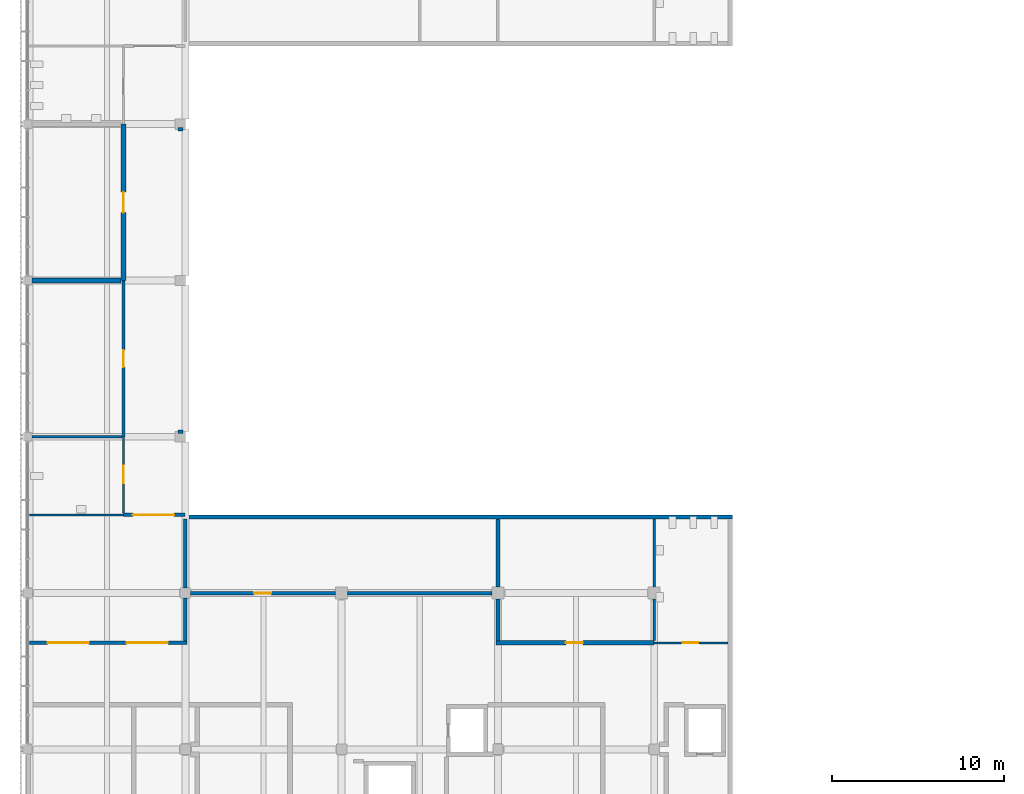
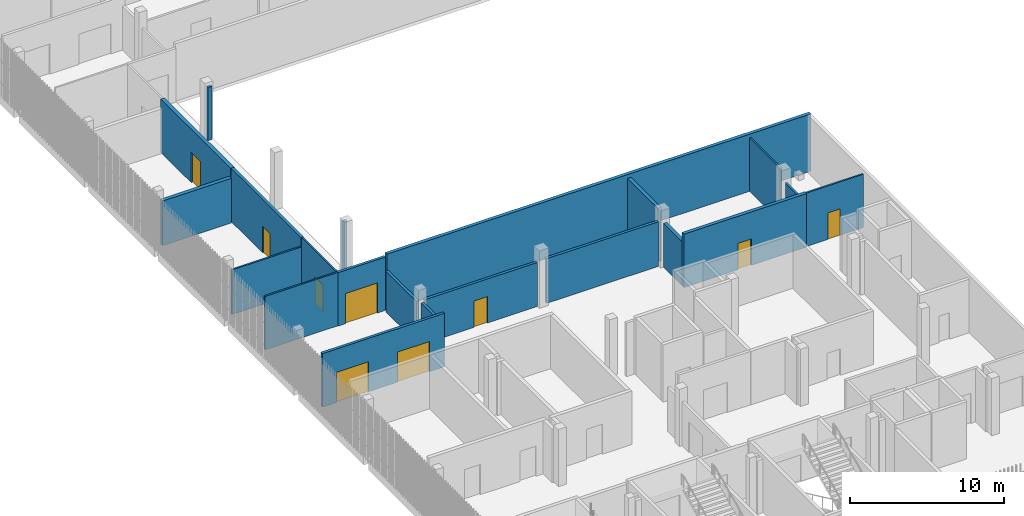
# One storey, part 69 of 124: 21 walls, 9 doors, 9 openings.
"""IFC4 building model written with IfcOpenShell, lengths in metres."""

from ifc_helpers import new_model, si_unit, direction, frame, frame_2d, origin, place, context, subcontext, project, spatial, rectangle, extrude, material, layer, layer_set, type_object, element, fill, save


model = new_model("IFC4")

# Units and contexts
model_context = context("Model", 3, precision=1e-05, world=origin(), true_north=direction((0.0, 1.0)))
body_context = subcontext(model_context, "Body", "Model", "MODEL_VIEW")
ifc_project = project(units=[si_unit("LENGTHUNIT", "METRE"), si_unit("AREAUNIT", "SQUARE_METRE"), si_unit("VOLUMEUNIT", "CUBIC_METRE"), si_unit("PLANEANGLEUNIT", "RADIAN"), si_unit("MASSUNIT", "GRAM", prefix="KILO")], contexts=[model_context])

# Site, building, storey
site_placement = place(None, origin())
site = spatial("IfcSite", under=ifc_project, at=site_placement, CompositionType="ELEMENT")
building_placement = place(site_placement, origin())
building = spatial("IfcBuilding", under=site, at=building_placement, Name="Shirokan Park Arena", CompositionType="ELEMENT")
storey_placement = place(building_placement, frame((0.0, 0.0, 20.02001953125)))
storey = spatial("IfcBuildingStorey", under=building, at=storey_placement, Name="L04", CompositionType="ELEMENT", Elevation=20.02001953125)

# Walls
ifc_material_1 = material(Name="Plaster")
ifc_layer_1 = layer(ifc_material_1, 0.014892578125, Name="Plaster")
ifc_material_2 = material(Name="Concrete blockwork", Category="masonry")
ifc_layer_2 = layer(ifc_material_2, 0.219970703125, Name="Concrete blockwork 220")
ifc_layer_3 = layer(ifc_material_1, 0.014892578125, Name="Plaster")
ifc_layer_set_1 = layer_set([ifc_layer_1, ifc_layer_2, ifc_layer_3], Name="Plaster + Concrete blockwork 220")
wall_type_1 = type_object("IfcWallType", Name="Compartment wall 250", PredefinedType="SOLIDWALL", material=ifc_layer_set_1)
wall_1_placement = place(storey_placement, frame((27.300048828125, 33.625, 0.0), z_axis=(0.0, 0.0, 1.0), x_axis=(0.0, 1.0, 0.0)))
element("IfcWall", 1, at=wall_1_placement, inside=storey, type_object=wall_type_1, Name="Compartment wall 250 L04", PredefinedType="SOLIDWALL", context=body_context, shape_type="SweptSolid", body=[
    extrude(rectangle(XDim=2.425048828125, YDim=0.25, at=frame_2d((1.21240234375, 0.0))), origin(), (0.0, 0.0, 1.0), 3.5),
])
wall_2_placement = place(storey_placement, frame((27.300048828125, 40.699951171875, 0.0), z_axis=(0.0, 0.0, 1.0), x_axis=(0.0, -1.0, 0.0)))
element("IfcWall", 2, at=wall_2_placement, inside=storey, type_object=wall_type_1, Name="Compartment wall 250 L04", PredefinedType="SOLIDWALL", context=body_context, shape_type="SweptSolid", body=[
    extrude(rectangle(XDim=3.949951171875, YDim=0.25, at=frame_2d((1.97509765625, 0.0))), origin(), (0.0, 0.0, 1.0), 4.25),
])

# Wall, opening, door
wall_3_placement = place(storey_placement, frame((36.39990234375, 33.5, 0.0), z_axis=(0.0, 0.0, 1.0), x_axis=(-1.0, 0.0, 0.0)))
wall_3 = element("IfcWall", 3, at=wall_3_placement, inside=storey, type_object=wall_type_1, Name="Compartment wall 250 L04", PredefinedType="SOLIDWALL", context=body_context, shape_type="SweptSolid", body=[
    extrude(rectangle(XDim=9.224853515625, YDim=0.25, at=frame_2d((4.6123046875, 0.0))), origin(), (0.0, 0.0, 1.0), 4.25),
])
opening_1_placement = place(wall_3_placement, frame((4.14990234375, 0.0, 0.0)))
opening_1 = element("IfcOpeningElement", 4, at=opening_1_placement, cuts=wall_3, Name="Opening D-4010", PredefinedType="OPENING", context=body_context, shape_type="SweptSolid", body=[
    extrude(rectangle(XDim=1.0, YDim=2.10009765625, at=frame_2d((0.5, 1.050048828125))), frame((0.0, 0.135009765625, 0.0), z_axis=(0.0, -1.0, 0.0), x_axis=(1.0, 0.0, 0.0)), (0.0, 0.0, 1.0), 0.27001953125),
])
ifc_material_3 = material(Name="Timber door set, fire resisting", Category="wood")
door_type_1 = type_object("IfcDoorType", Name="Door 1000 x 2100", OperationType="SINGLE_SWING_LEFT", PredefinedType="DOOR", material=ifc_material_3)
door_1_placement = place(opening_1_placement, origin())
door_1 = element("IfcDoor", 5, at=door_1_placement, inside=storey, type_object=door_type_1, Name="Door to Security Control Room 4.12 D-4010", OperationType="SINGLE_SWING_RIGHT", OverallHeight=2.10009765625, OverallWidth=1.0, PredefinedType="DOOR", context=body_context, shape_type="SweptSolid", body=[
    extrude(rectangle(XDim=1.0, YDim=2.10009765625, at=frame_2d((0.5, 1.050048828125))), frame((0.0, 0.02490234375, 0.0), z_axis=(0.0, -1.0, 0.0), x_axis=(1.0, 0.0, 0.0)), (0.0, 0.0, 1.0), 0.050048828125),
])
fill(opening_1, door_1)

# Wall, openings, doors
ifc_material_4 = material(Name="Gypsum board")
ifc_layer_4 = layer(ifc_material_4, 0.02490234375, Name="Gypsum board, two layers")
ifc_material_5 = material(Name="Mineral wool insulation")
ifc_layer_5 = layer(ifc_material_5, 0.14990234375, Name="Mineral wool insulation")
ifc_layer_6 = layer(ifc_material_4, 0.02490234375, Name="Gypsum board, two layers")
ifc_layer_set_2 = layer_set([ifc_layer_4, ifc_layer_5, ifc_layer_6], Name="Gypsum board, two layers + Mineral wool insulation")
wall_type_2 = type_object("IfcWallType", Name="Corridor wall 200", PredefinedType="PARTITIONING", material=ifc_layer_set_2)
wall_4_placement = place(storey_placement, frame((0.030029296875, 33.5, 0.0), z_axis=(0.0, 0.0, 1.0), x_axis=(1.0, 0.0, 0.0)))
wall_4 = element("IfcWall", 6, at=wall_4_placement, inside=storey, type_object=wall_type_2, Name="Corridor wall 200 L04", PredefinedType="PARTITIONING", context=body_context, shape_type="SweptSolid", body=[
    extrude(rectangle(XDim=9.169921875, YDim=0.199951171875, at=frame_2d((4.5849609375, 0.0))), origin(), (0.0, 0.0, 1.0), 4.25),
])
opening_2_placement = place(wall_4_placement, frame((1.050048828125, 0.0, 0.0)))
opening_2 = element("IfcOpeningElement", 7, at=opening_2_placement, cuts=wall_4, Name="Opening D-4071", PredefinedType="OPENING", context=body_context, shape_type="SweptSolid", body=[
    extrude(rectangle(XDim=2.39990234375, YDim=2.39990234375, at=frame_2d((1.199951171875, 1.199951171875))), frame((0.0, 0.10986328125, 0.0), z_axis=(0.0, -1.0, 0.0), x_axis=(1.0, 0.0, 0.0)), (0.0, 0.0, 1.0), 0.219970703125),
])
opening_3_placement = place(wall_4_placement, frame((5.64990234375, 0.0, 0.0)))
opening_3 = element("IfcOpeningElement", 8, at=opening_3_placement, cuts=wall_4, Name="Opening D-4072", PredefinedType="OPENING", context=body_context, shape_type="SweptSolid", body=[
    extrude(rectangle(XDim=2.39990234375, YDim=2.39990234375, at=frame_2d((1.199951171875, 1.199951171875))), frame((0.0, 0.10986328125, 0.0), z_axis=(0.0, -1.0, 0.0), x_axis=(1.0, 0.0, 0.0)), (0.0, 0.0, 1.0), 0.219970703125),
])
ifc_material_6 = material(Name="Steel door set, fire resisting", Category="steel")
door_type_2 = type_object("IfcDoorType", Name="Double door 2400 x 2400", OperationType="DOUBLE_DOOR_SINGLE_SWING", PredefinedType="DOOR", material=ifc_material_6)
door_2_placement = place(opening_2_placement, origin())
door_2 = element("IfcDoor", 9, at=door_2_placement, inside=storey, type_object=door_type_2, Name="Door between Service Corridor 1.4 and Concourse Link 1.4 D-4071", OperationType="DOUBLE_DOOR_SINGLE_SWING", OverallHeight=2.39990234375, OverallWidth=2.39990234375, PredefinedType="DOOR", context=body_context, shape_type="SweptSolid", body=[
    extrude(rectangle(XDim=2.39990234375, YDim=2.39990234375, at=frame_2d((1.199951171875, 1.199951171875))), frame((0.0, 0.02490234375, 0.0), z_axis=(0.0, -1.0, 0.0), x_axis=(1.0, 0.0, 0.0)), (0.0, 0.0, 1.0), 0.050048828125),
])
fill(opening_2, door_2)
door_3_placement = place(opening_3_placement, origin())
door_3 = element("IfcDoor", 10, at=door_3_placement, inside=storey, type_object=door_type_2, Name="Door between Service Corridor 1.4 and Concourse Link 1.4 D-4072", OperationType="DOUBLE_DOOR_SINGLE_SWING", OverallHeight=2.39990234375, OverallWidth=2.39990234375, PredefinedType="DOOR", context=body_context, shape_type="SweptSolid", body=[
    extrude(rectangle(XDim=2.39990234375, YDim=2.39990234375, at=frame_2d((1.199951171875, 1.199951171875))), frame((0.0, 0.02490234375, 0.0), z_axis=(0.0, -1.0, 0.0), x_axis=(1.0, 0.0, 0.0)), (0.0, 0.0, 1.0), 0.050048828125),
])
fill(opening_3, door_3)

# Wall, opening, door
wall_5_placement = place(storey_placement, frame((5.5, 40.949951171875, 0.0), z_axis=(0.0, 0.0, 1.0), x_axis=(1.0, 0.0, 0.0)))
wall_5 = element("IfcWall", 11, at=wall_5_placement, inside=storey, type_object=wall_type_2, Name="Corridor wall 200 L04", PredefinedType="PARTITIONING", context=body_context, shape_type="SweptSolid", body=[
    extrude(rectangle(XDim=3.570068359375, YDim=0.199951171875, at=frame_2d((1.78515625, 0.0))), origin(), (0.0, 0.0, 1.0), 4.25),
])
opening_4_placement = place(wall_5_placement, frame((0.550048828125, 0.0, 0.0)))
opening_4 = element("IfcOpeningElement", 12, at=opening_4_placement, cuts=wall_5, Name="Opening D-4081", PredefinedType="OPENING", context=body_context, shape_type="SweptSolid", body=[
    extrude(rectangle(XDim=2.39990234375, YDim=2.39990234375, at=frame_2d((1.199951171875, 1.199951171875))), frame((0.0, 0.10986328125, 0.0), z_axis=(0.0, -1.0, 0.0), x_axis=(1.0, 0.0, 0.0)), (0.0, 0.0, 1.0), 0.219970703125),
])
door_4_placement = place(opening_4_placement, origin())
door_4 = element("IfcDoor", 13, at=door_4_placement, inside=storey, type_object=door_type_2, Name="Door between Concourse Link 1.4 and Operations Corridor 4.04 D-4081", OperationType="DOUBLE_DOOR_SINGLE_SWING", OverallHeight=2.39990234375, OverallWidth=2.39990234375, PredefinedType="DOOR", context=body_context, shape_type="SweptSolid", body=[
    extrude(rectangle(XDim=2.39990234375, YDim=2.39990234375, at=frame_2d((1.199951171875, 1.199951171875))), frame((0.0, 0.02490234375, 0.0), z_axis=(0.0, -1.0, 0.0), x_axis=(1.0, 0.0, 0.0)), (0.0, 0.0, 1.0), 0.050048828125),
])
fill(opening_4, door_4)

wall_6_placement = place(storey_placement, frame((5.5, 45.5, 0.0), z_axis=(0.0, 0.0, 1.0), x_axis=(0.0, 1.0, 0.0)))
wall_6 = element("IfcWall", 14, at=wall_6_placement, inside=storey, type_object=wall_type_2, Name="Corridor wall 200 L04", PredefinedType="PARTITIONING", context=body_context, shape_type="SweptSolid", body=[
    extrude(rectangle(XDim=9.10009765625, YDim=0.199951171875, at=frame_2d((4.550048828125, 0.0))), origin(), (0.0, 0.0, 1.0), 4.25),
])
opening_5_placement = place(wall_6_placement, frame((4.050048828125, 0.0, 0.0)))
opening_5 = element("IfcOpeningElement", 15, at=opening_5_placement, cuts=wall_6, Name="Opening D-4068", PredefinedType="OPENING", context=body_context, shape_type="SweptSolid", body=[
    extrude(rectangle(XDim=1.0, YDim=2.10009765625, at=frame_2d((0.5, 1.050048828125))), frame((0.0, 0.10986328125, 0.0), z_axis=(0.0, -1.0, 0.0), x_axis=(1.0, 0.0, 0.0)), (0.0, 0.0, 1.0), 0.219970703125),
])
door_5_placement = place(opening_5_placement, origin())
door_5 = element("IfcDoor", 16, at=door_5_placement, inside=storey, type_object=door_type_1, Name="Door to Referee Review Room 4.42 D-4068", OperationType="SINGLE_SWING_RIGHT", OverallHeight=2.10009765625, OverallWidth=1.0, PredefinedType="DOOR", context=body_context, shape_type="SweptSolid", body=[
    extrude(rectangle(XDim=1.0, YDim=2.10009765625, at=frame_2d((0.5, 1.050048828125))), frame((0.0, 0.02490234375, 0.0), z_axis=(0.0, -1.0, 0.0), x_axis=(1.0, 0.0, 0.0)), (0.0, 0.0, 1.0), 0.050048828125),
])
fill(opening_5, door_5)

# Walls
for number, where, z_axis, x_axis, name in (
    (17, (8.675048828125, 63.39990234375, 0.0), (0.0, 0.0, 1.0), (1.0, 0.0, 0.0), "Corridor wall 200 L04"),
    (18, (8.97509765625, 45.800048828125, 0.0), (0.0, 0.0, 1.0), (-1.0, 0.0, 0.0), "Corridor wall 200 L04"),
):
    element("IfcWall", number, at=place(storey_placement, frame(where, z_axis=z_axis, x_axis=x_axis)), inside=storey, type_object=wall_type_2, Name=name, PredefinedType="PARTITIONING", context=body_context, shape_type="SweptSolid", body=[
        extrude(rectangle(XDim=0.300048828125, YDim=0.199951171875, at=frame_2d((0.14990234375, 0.0))), origin(), (0.0, 0.0, 1.0), 4.25),
    ])
wall_7_placement = place(storey_placement, frame((9.10009765625, 33.60009765625, 0.0), z_axis=(0.0, 0.0, 1.0), x_axis=(0.0, 1.0, 0.0)))
element("IfcWall", 19, at=wall_7_placement, inside=storey, type_object=wall_type_2, Name="Corridor wall 200 L04", PredefinedType="PARTITIONING", context=body_context, shape_type="SweptSolid", body=[
    extrude(rectangle(XDim=2.5, YDim=0.199951171875, at=frame_2d((1.25, 0.0))), origin(), (0.0, 0.0, 1.0), 3.5),
])
wall_8_placement = place(storey_placement, frame((9.10009765625, 36.699951171875, 0.0), z_axis=(0.0, 0.0, 1.0), x_axis=(0.0, 1.0, 0.0)))
element("IfcWall", 20, at=wall_8_placement, inside=storey, type_object=wall_type_2, Name="Corridor wall 200 L04", PredefinedType="PARTITIONING", context=body_context, shape_type="SweptSolid", body=[
    extrude(rectangle(XDim=4.0, YDim=0.199951171875, at=frame_2d((2.0, 0.0))), origin(), (0.0, 0.0, 1.0), 3.25),
])

# Wall, opening, door
wall_9_placement = place(storey_placement, frame((17.85009765625, 36.39990234375, 0.0), z_axis=(0.0, 0.0, 1.0), x_axis=(-1.0, 0.0, 0.0)))
wall_9 = element("IfcWall", 21, at=wall_9_placement, inside=storey, type_object=wall_type_2, Name="Corridor wall 200 L04", PredefinedType="PARTITIONING", context=body_context, shape_type="SweptSolid", body=[
    extrude(rectangle(XDim=8.4501953125, YDim=0.199951171875, at=frame_2d((4.22509765625, 0.0))), origin(), (0.0, 0.0, 1.0), 3.5),
])
opening_6_placement = place(wall_9_placement, frame((3.75, 0.0, 0.0)))
opening_6 = element("IfcOpeningElement", 22, at=opening_6_placement, cuts=wall_9, Name="Opening D-4009", PredefinedType="OPENING", context=body_context, shape_type="SweptSolid", body=[
    extrude(rectangle(XDim=1.0, YDim=2.10009765625, at=frame_2d((0.5, 1.050048828125))), frame((0.0, 0.10986328125, 0.0), z_axis=(0.0, -1.0, 0.0), x_axis=(1.0, 0.0, 0.0)), (0.0, 0.0, 1.0), 0.219970703125),
])
door_6_placement = place(opening_6_placement, origin())
door_6 = element("IfcDoor", 23, at=door_6_placement, inside=storey, type_object=door_type_1, Name="Door to Event Control Room 4.11 D-4009", OperationType="SINGLE_SWING_RIGHT", OverallHeight=2.10009765625, OverallWidth=1.0, PredefinedType="DOOR", context=body_context, shape_type="SweptSolid", body=[
    extrude(rectangle(XDim=1.0, YDim=2.10009765625, at=frame_2d((0.5, 1.050048828125))), frame((0.0, 0.02490234375, 0.0), z_axis=(0.0, -1.0, 0.0), x_axis=(1.0, 0.0, 0.0)), (0.0, 0.0, 1.0), 0.050048828125),
])
fill(opening_6, door_6)

# Walls
wall_10_placement = place(storey_placement, frame((26.949951171875, 36.39990234375, 0.0), z_axis=(0.0, 0.0, 1.0), x_axis=(-1.0, 0.0, 0.0)))
element("IfcWall", 24, at=wall_10_placement, inside=storey, type_object=wall_type_2, Name="Corridor wall 200 L04", PredefinedType="PARTITIONING", context=body_context, shape_type="SweptSolid", body=[
    extrude(rectangle(XDim=8.39990234375, YDim=0.199951171875, at=frame_2d((4.199951171875, 0.0))), origin(), (0.0, 0.0, 1.0), 3.550048828125),
])
ifc_layer_7 = layer(ifc_material_1, 0.012451171875, Name="Plaster")
ifc_layer_8 = layer(ifc_material_2, 0.25, Name="Concrete blockwork 250")
ifc_layer_9 = layer(ifc_material_1, 0.012451171875, Name="Plaster")
ifc_layer_set_3 = layer_set([ifc_layer_7, ifc_layer_8, ifc_layer_9], Name="Plaster + Concrete blockwork 250")
wall_type_3 = type_object("IfcWallType", Name="Plant room wall 275", PredefinedType="SOLIDWALL", material=ifc_layer_set_3)
wall_11_placement = place(storey_placement, frame((0.175048828125, 54.60009765625, 0.0), z_axis=(0.0, 0.0, 1.0), x_axis=(1.0, 0.0, 0.0)))
element("IfcWall", 25, at=wall_11_placement, inside=storey, type_object=wall_type_3, Name="Plant room wall 275 L04", PredefinedType="SOLIDWALL", context=body_context, shape_type="SweptSolid", body=[
    extrude(rectangle(XDim=5.1875, YDim=0.27490234375, at=frame_2d((2.59375, 0.0))), origin(), (0.0, 0.0, 1.0), 3.550048828125),
])

# Wall, opening, door
wall_12_placement = place(storey_placement, frame((5.5, 54.60009765625, 0.0), z_axis=(0.0, 0.0, 1.0), x_axis=(0.0, 1.0, 0.0)))
wall_12 = element("IfcWall", 26, at=wall_12_placement, inside=storey, type_object=wall_type_3, Name="Plant room wall 275 L04", PredefinedType="SOLIDWALL", context=body_context, shape_type="SweptSolid", body=[
    extrude(rectangle(XDim=9.099853515625, YDim=0.27490234375, at=frame_2d((4.5498046875, 0.0))), origin(), (0.0, 0.0, 1.0), 4.25),
])
opening_7_placement = place(wall_12_placement, frame((3.949951171875, 0.0, 0.0)))
opening_7 = element("IfcOpeningElement", 27, at=opening_7_placement, cuts=wall_12, Name="Opening D-4069", PredefinedType="OPENING", context=body_context, shape_type="SweptSolid", body=[
    extrude(rectangle(XDim=1.199951171875, YDim=2.39990234375, at=frame_2d((0.60009765625, 1.199951171875))), frame((0.0, 0.1474609375, 0.0), z_axis=(0.0, -1.0, 0.0), x_axis=(1.0, 0.0, 0.0)), (0.0, 0.0, 1.0), 0.294921875),
])
ifc_material_7 = material(Name="Louvred steel door set, fire resisting", Category="steel")
door_type_3 = type_object("IfcDoorType", Name="Plant room door 1200 x 2400", OperationType="SINGLE_SWING_LEFT", PredefinedType="DOOR", material=ifc_material_7)
door_7_placement = place(opening_7_placement, origin())
door_7 = element("IfcDoor", 28, at=door_7_placement, inside=storey, type_object=door_type_3, Name="Door to Lighting Gallery Room 4.43 D-4069", OperationType="SINGLE_SWING_RIGHT", OverallHeight=2.39990234375, OverallWidth=1.199951171875, PredefinedType="DOOR", context=body_context, shape_type="SweptSolid", body=[
    extrude(rectangle(XDim=1.199951171875, YDim=2.39990234375, at=frame_2d((0.60009765625, 1.199951171875))), frame((0.0, 0.02490234375, 0.0), z_axis=(0.0, -1.0, 0.0), x_axis=(1.0, 0.0, 0.0)), (0.0, 0.0, 1.0), 0.050048828125),
])
fill(opening_7, door_7)

# Walls
ifc_material_8 = material(Name="Concrete C35", Category="concrete")
ifc_layer_10 = layer(ifc_material_8, 0.25)
ifc_layer_set_4 = layer_set([ifc_layer_10], Name="Concrete C35 250 mm")
wall_type_4 = type_object("IfcWallType", Name="RC flank wall 250", PredefinedType="SHEAR", material=ifc_layer_set_4)
wall_13_placement = place(storey_placement, frame((40.949951171875, 40.824951171875, 0.0), z_axis=(0.0, 0.0, 1.0), x_axis=(-1.0, 0.0, 0.0)))
element("IfcWall", 29, at=wall_13_placement, inside=storey, type_object=wall_type_4, Name="Flank wall W1 L04", PredefinedType="SHEAR", context=body_context, shape_type="SweptSolid", body=[
    extrude(rectangle(XDim=31.849853515625, YDim=0.25, at=frame_2d((15.9248046875, 0.0))), origin(), (0.0, 0.0, 1.0), 4.550048828125),
])
ifc_material_9 = material(Name="Ceramic tile")
ifc_layer_11 = layer(ifc_material_9, 0.010009765625, Name="Ceramic tile")
ifc_material_10 = material(Name="Cement board")
ifc_layer_12 = layer(ifc_material_10, 0.012451171875, Name="Cement board")
ifc_layer_13 = layer(ifc_material_5, 0.080078125, Name="Mineral wool insulation")
ifc_layer_14 = layer(ifc_material_10, 0.012451171875, Name="Cement board")
ifc_layer_15 = layer(ifc_material_9, 0.010009765625, Name="Ceramic tile")
ifc_layer_set_5 = layer_set([ifc_layer_11, ifc_layer_12, ifc_layer_13, ifc_layer_14, ifc_layer_15], Name="Ceramic tile + Cement board + Mineral wool insulation")
wall_type_5 = type_object("IfcWallType", Name="Wet-area wall 125", PredefinedType="PARTITIONING", material=ifc_layer_set_5)
wall_14_placement = place(storey_placement, frame((0.030029296875, 40.949951171875, 0.0), z_axis=(0.0, 0.0, 1.0), x_axis=(1.0, 0.0, 0.0)))
element("IfcWall", 30, at=wall_14_placement, inside=storey, type_object=wall_type_5, Name="Wet-area wall 125 L04", PredefinedType="PARTITIONING", context=body_context, shape_type="SweptSolid", body=[
    extrude(rectangle(XDim=5.469970703125, YDim=0.125, at=frame_2d((2.73486328125, 0.0))), origin(), (0.0, 0.0, 1.0), 4.25),
])
wall_15_placement = place(storey_placement, frame((0.175048828125, 45.5, 0.0), z_axis=(0.0, 0.0, 1.0), x_axis=(1.0, 0.0, 0.0)))
element("IfcWall", 31, at=wall_15_placement, inside=storey, type_object=wall_type_5, Name="Wet-area wall 125 L04", PredefinedType="PARTITIONING", context=body_context, shape_type="SweptSolid", body=[
    extrude(rectangle(XDim=5.224853515625, YDim=0.125, at=frame_2d((2.6123046875, 0.0))), origin(), (0.0, 0.0, 1.0), 3.550048828125),
])

# Wall, opening, door
wall_16_placement = place(storey_placement, frame((5.5, 41.050048828125, 0.0), z_axis=(0.0, 0.0, 1.0), x_axis=(0.0, 1.0, 0.0)))
wall_16 = element("IfcWall", 32, at=wall_16_placement, inside=storey, type_object=wall_type_5, Name="Wet-area wall 125 L04", PredefinedType="PARTITIONING", context=body_context, shape_type="SweptSolid", body=[
    extrude(rectangle(XDim=4.449951171875, YDim=0.125, at=frame_2d((2.22509765625, 0.0))), origin(), (0.0, 0.0, 1.0), 4.25),
])
opening_8_placement = place(wall_16_placement, frame((1.75, 0.0, 0.0)))
opening_8 = element("IfcOpeningElement", 33, at=opening_8_placement, cuts=wall_16, Name="Opening D-4067", PredefinedType="OPENING", context=body_context, shape_type="SweptSolid", body=[
    extrude(rectangle(XDim=1.0, YDim=2.10009765625, at=frame_2d((0.5, 1.050048828125))), frame((0.0, 0.072509765625, 0.0), z_axis=(0.0, -1.0, 0.0), x_axis=(1.0, 0.0, 0.0)), (0.0, 0.0, 1.0), 0.14501953125),
])
door_type_4 = type_object("IfcDoorType", Name="Accessible WC door 1000 x 2100", OperationType="SINGLE_SWING_RIGHT", PredefinedType="DOOR", material=ifc_material_3)
door_8_placement = place(opening_8_placement, origin())
door_8 = element("IfcDoor", 34, at=door_8_placement, inside=storey, type_object=door_type_4, Name="Door to Accessible WC 4.41 D-4067", OperationType="SINGLE_SWING_LEFT", OverallHeight=2.10009765625, OverallWidth=1.0, PredefinedType="DOOR", context=body_context, shape_type="SweptSolid", body=[
    extrude(rectangle(XDim=1.0, YDim=2.10009765625, at=frame_2d((0.5, 1.050048828125))), frame((0.0, 0.02490234375, 0.0), z_axis=(0.0, -1.0, 0.0), x_axis=(1.0, 0.0, 0.0)), (0.0, 0.0, 1.0), 0.050048828125),
])
fill(opening_8, door_8)

# Walls
wall_17_placement = place(storey_placement, frame((36.39990234375, 36.050048828125, 0.0), z_axis=(0.0, 0.0, 1.0), x_axis=(0.0, -1.0, 0.0)))
element("IfcWall", 35, at=wall_17_placement, inside=storey, type_object=wall_type_5, Name="Wet-area wall 125 L04", PredefinedType="PARTITIONING", context=body_context, shape_type="SweptSolid", body=[
    extrude(rectangle(XDim=2.425048828125, YDim=0.125, at=frame_2d((1.21240234375, 0.0))), origin(), (0.0, 0.0, 1.0), 3.5),
])
wall_18_placement = place(storey_placement, frame((36.39990234375, 40.699951171875, 0.0), z_axis=(0.0, 0.0, 1.0), x_axis=(0.0, -1.0, 0.0)))
element("IfcWall", 36, at=wall_18_placement, inside=storey, type_object=wall_type_5, Name="Wet-area wall 125 L04", PredefinedType="PARTITIONING", context=body_context, shape_type="SweptSolid", body=[
    extrude(rectangle(XDim=3.949951171875, YDim=0.125, at=frame_2d((1.97509765625, 0.0))), origin(), (0.0, 0.0, 1.0), 4.25),
])

# Wall, opening, door
wall_19_placement = place(storey_placement, frame((40.699951171875, 33.5, 0.0), z_axis=(0.0, 0.0, 1.0), x_axis=(-1.0, 0.0, 0.0)))
wall_19 = element("IfcWall", 37, at=wall_19_placement, inside=storey, type_object=wall_type_5, Name="Wet-area wall 125 L04", PredefinedType="PARTITIONING", context=body_context, shape_type="SweptSolid", body=[
    extrude(rectangle(XDim=4.300048828125, YDim=0.125, at=frame_2d((2.14990234375, 0.0))), origin(), (0.0, 0.0, 1.0), 4.25),
])
opening_9_placement = place(wall_19_placement, frame((1.75, 0.0, 0.0)))
opening_9 = element("IfcOpeningElement", 38, at=opening_9_placement, cuts=wall_19, Name="Opening D-4011", PredefinedType="OPENING", context=body_context, shape_type="SweptSolid", body=[
    extrude(rectangle(XDim=0.89990234375, YDim=2.10009765625, at=frame_2d((0.449951171875, 1.050048828125))), frame((0.0, 0.072509765625, 0.0), z_axis=(0.0, -1.0, 0.0), x_axis=(1.0, 0.0, 0.0)), (0.0, 0.0, 1.0), 0.14501953125),
])
door_type_5 = type_object("IfcDoorType", Name="Door 900 x 2100", OperationType="SINGLE_SWING_LEFT", PredefinedType="DOOR", material=ifc_material_3)
door_9_placement = place(opening_9_placement, origin())
door_9 = element("IfcDoor", 39, at=door_9_placement, inside=storey, type_object=door_type_5, Name="Door to Staff WC 4.13 D-4011", OperationType="SINGLE_SWING_RIGHT", OverallHeight=2.10009765625, OverallWidth=0.89990234375, PredefinedType="DOOR", context=body_context, shape_type="SweptSolid", body=[
    extrude(rectangle(XDim=0.89990234375, YDim=2.10009765625, at=frame_2d((0.449951171875, 1.050048828125))), frame((0.0, 0.02490234375, 0.0), z_axis=(0.0, -1.0, 0.0), x_axis=(1.0, 0.0, 0.0)), (0.0, 0.0, 1.0), 0.050048828125),
])
fill(opening_9, door_9)

save(model, "model.ifc")
